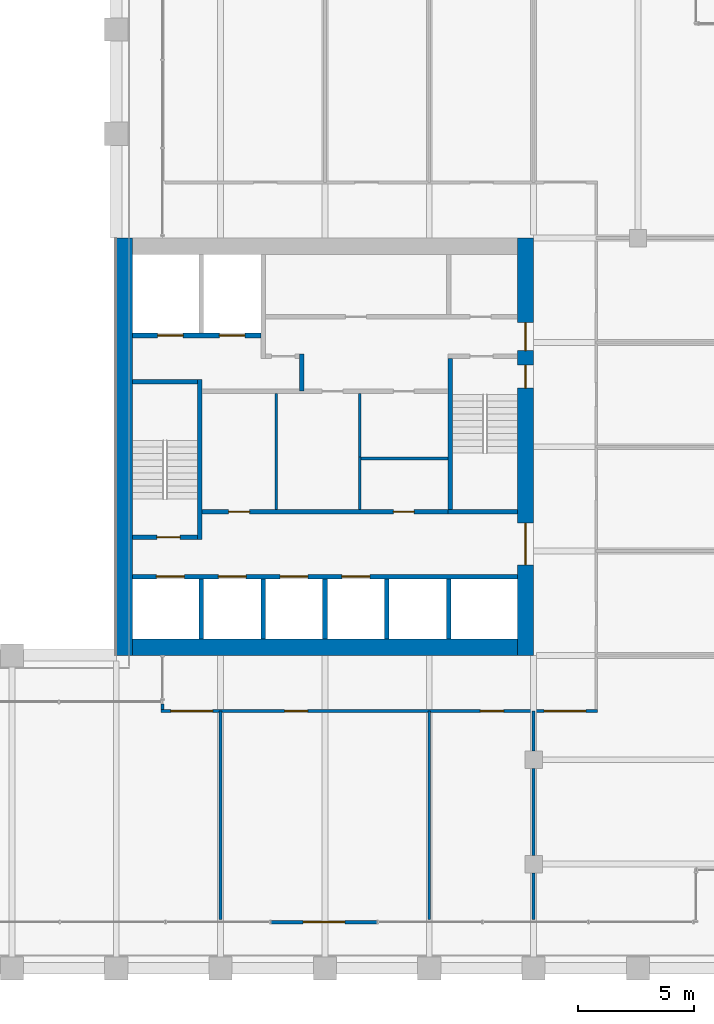
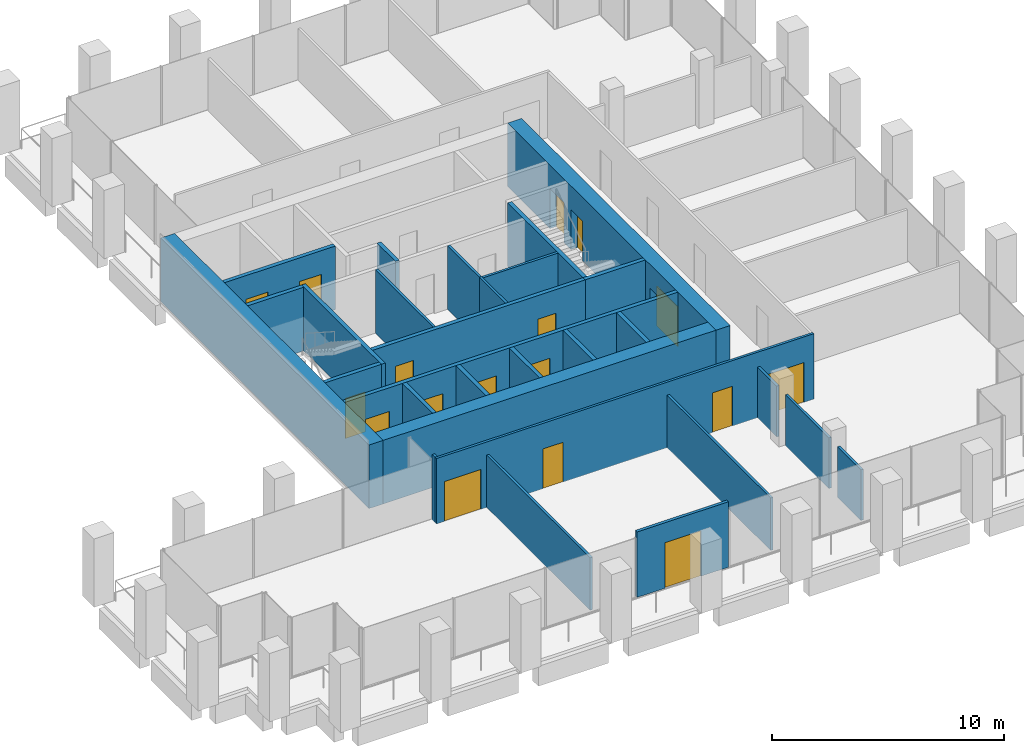
# One storey, part 41 of 47: 29 walls, 17 doors, 17 openings.
"""IFC4 building model written with IfcOpenShell, lengths in metres."""

import ifcopenshell
import ifcopenshell.guid

model = None  # the IFC model being written
_history = None  # IfcOwnerHistory: only IFC2X3 demands one
_inside = {}  # id of a spatial element -> (the spatial element, [elements in it])
_under = {}  # id of a project, library or spatial element -> (it, [spatial elements below it])
_declared = {}  # id of a project -> (the project, [libraries it declares])
_typed = {}  # id of a type object -> (the type object, [elements of that type])
_made_of = {}  # id of a material, layer set ... -> (it, [elements and type objects made of it])


def new_model(schema):
    """Start an empty IFC model of exactly this schema.

    Asked for "IFC4X3", IfcOpenShell would pick the latest addendum, in which some entities
    have other attributes; the version numbers below select the first issue.
    IFC2X3 requires an IfcOwnerHistory on every rooted entity: one is made here for all.
    """
    global model, _history
    if schema == "IFC4X3":
        model = ifcopenshell.file(schema_version=(4, 3, 0, 0))
    else:
        model = ifcopenshell.file(schema=schema)
    _inside.clear()
    _under.clear()
    _declared.clear()
    _typed.clear()
    _made_of.clear()
    _history = None
    if model.schema == "IFC2X3":
        org = make("IfcOrganization", Name="unknown")
        user = make(
            "IfcPersonAndOrganization",
            ThePerson=make("IfcPerson", FamilyName="unknown"),
            TheOrganization=org,
        )
        app = make(
            "IfcApplication",
            ApplicationDeveloper=org,
            Version="unknown",
            ApplicationFullName="unknown",
            ApplicationIdentifier="unknown",
        )
        _history = make(
            "IfcOwnerHistory",
            OwningUser=user,
            OwningApplication=app,
            ChangeAction="ADDED",
            CreationDate=0,
        )
    return model


def make(cls, **values):
    """One entity of the class cls with the attributes given. An attribute that is None is left unset."""
    return model.create_entity(
        cls, **{name: value for name, value in values.items() if value is not None}
    )


def rooted(cls, **values):
    """An entity with a GlobalId (a new one), such as an element, a storey or a relation."""
    return make(cls, GlobalId=ifcopenshell.guid.new(), OwnerHistory=_history, **values)


def si_unit(unit_type, name, prefix=None):
    """IfcSIUnit, for example si_unit("LENGTHUNIT", "METRE", prefix="MILLI")."""
    return make("IfcSIUnit", UnitType=unit_type, Prefix=prefix, Name=name)


def assignment(units):
    """IfcUnitAssignment: the units of a project."""
    return None if units is None else make("IfcUnitAssignment", Units=units)


def point(xyz):
    """IfcCartesianPoint."""
    return None if xyz is None else make("IfcCartesianPoint", Coordinates=xyz)


def direction(xyz):
    """IfcDirection."""
    return None if xyz is None else make("IfcDirection", DirectionRatios=xyz)


def frame(location, z_axis=None, x_axis=None):
    """IfcAxis2Placement3D, a coordinate frame: its origin and axes. An axis left out is left unset."""
    return make(
        "IfcAxis2Placement3D",
        Location=point(location),
        Axis=direction(z_axis),
        RefDirection=direction(x_axis),
    )


def frame_2d(location, x_axis=None):
    """IfcAxis2Placement2D, a coordinate frame in the plane: its origin and x axis."""
    return make(
        "IfcAxis2Placement2D", Location=point(location), RefDirection=direction(x_axis)
    )


def origin():
    """The frame at (0, 0, 0) with its axes left unset."""
    return frame((0.0, 0.0, 0.0))


def place(relative_to, where):
    """IfcLocalPlacement: puts the frame where relative to a parent placement (None: the world)."""
    return make(
        "IfcLocalPlacement", PlacementRelTo=relative_to, RelativePlacement=where
    )


def context(
    kind, dimensions, precision=None, world=None, true_north=None, identifier=None
):
    """IfcGeometricRepresentationContext, for example the 3D "Model" context."""
    return make(
        "IfcGeometricRepresentationContext",
        ContextIdentifier=identifier,
        ContextType=kind,
        CoordinateSpaceDimension=dimensions,
        Precision=precision,
        WorldCoordinateSystem=world,
        TrueNorth=true_north,
    )


def subcontext(parent, identifier, kind, view, scale=None):
    """IfcGeometricRepresentationSubContext, for example "Body" below "Model"."""
    return make(
        "IfcGeometricRepresentationSubContext",
        ContextIdentifier=identifier,
        ContextType=kind,
        ParentContext=parent,
        TargetScale=scale,
        TargetView=view,
    )


def project(units=None, contexts=None):
    """IfcProject with its units and contexts."""
    return rooted(
        "IfcProject",
        Name="project",
        RepresentationContexts=contexts,
        UnitsInContext=assignment(units),
    )


def spatial(cls, under=None, at=None, **own):
    """A site, building, storey or space (cls), placed at a placement, below another one or the project."""
    s = rooted(cls, ObjectPlacement=at, **own)
    if under is not None:
        _under.setdefault(under.id(), (under, []))[1].append(s)
    return s


def profile(cls, at=None, kind="AREA", **sizes):
    """A parametric profile (cls). Its sizes go by their IFC names, for example OverallWidth=200.0."""
    return make(cls, ProfileType=kind, Position=at, **sizes)


def rectangle(**sizes):
    """IfcRectangleProfileDef."""
    return profile("IfcRectangleProfileDef", **sizes)


def extrude(swept, where, along, depth):
    """IfcExtrudedAreaSolid: the profile swept, set in the frame where, extruded along a direction by depth."""
    return make(
        "IfcExtrudedAreaSolid",
        SweptArea=swept,
        Position=where,
        ExtrudedDirection=direction(along),
        Depth=depth,
    )


def shape(context_of_items, identifier, shape_type, items):
    """IfcShapeRepresentation: the items that make up one representation, for example the "Body"."""
    return make(
        "IfcShapeRepresentation",
        ContextOfItems=context_of_items,
        RepresentationIdentifier=identifier,
        RepresentationType=shape_type,
        Items=items,
    )


def material(Name=None, Category=None):
    """IfcMaterial."""
    return make("IfcMaterial", Name=Name, Category=Category)


def layer(
    of_material, thickness, ventilated=None, Name=None, Category=None, Priority=None
):
    """IfcMaterialLayer: one layer of a wall or slab, of a material (None: an air gap)."""
    return make(
        "IfcMaterialLayer",
        Material=of_material,
        LayerThickness=thickness,
        IsVentilated=ventilated,
        Name=Name,
        Category=Category,
        Priority=Priority,
    )


def layer_set(layers, Name=None):
    """IfcMaterialLayerSet."""
    return make("IfcMaterialLayerSet", MaterialLayers=layers, LayerSetName=Name)


def made_of(thing, what):
    """Note that an element or type object is made of a material, layer set ...; save() writes the relation."""
    if what is not None:
        _made_of.setdefault(what.id(), (what, []))[1].append(thing)
    return thing


def type_object(cls, material=None, **own):
    """A type object (cls), such as IfcWallType, which elements share."""
    return made_of(rooted(cls, **own), material)


def element(
    cls,
    number,
    at=None,
    inside=None,
    cuts=None,
    type_object=None,
    material=None,
    context=None,
    identifier="Body",
    shape_type=None,
    held_by="IfcProductDefinitionShape",
    body=None,
    shapes=None,
    **own,
):
    """One element of the class cls, such as IfcWall. Its Tag is "e" and its number.

    at: its placement. inside: the storey or other place that contains it. cuts: it is an
    opening in that element (IfcRelVoidsElement). A single representation is given by context,
    identifier, shape_type and body (its items); several are given by shapes. held_by: the class
    of the entity that holds the representations. save() writes the other relations.
    """
    e = rooted(cls, Tag="e%d" % number, ObjectPlacement=at, **own)
    if body is not None:
        shapes = [shape(context, identifier, shape_type, body)]
    if shapes is not None:
        e.Representation = make(held_by, Representations=shapes)
    if inside is not None:
        _inside.setdefault(inside.id(), (inside, []))[1].append(e)
    if cuts is not None:
        rooted(
            "IfcRelVoidsElement", RelatingBuildingElement=cuts, RelatedOpeningElement=e
        )
    if type_object is not None:
        _typed.setdefault(type_object.id(), (type_object, []))[1].append(e)
    return made_of(e, material)


def fill(opening, filler):
    """IfcRelFillsElement: the door or window that sits in an opening."""
    return rooted(
        "IfcRelFillsElement",
        RelatingOpeningElement=opening,
        RelatedBuildingElement=filler,
    )


def aggregate(whole, parts):
    """IfcRelAggregates: a whole, such as a stair, and the parts it consists of."""
    return rooted("IfcRelAggregates", RelatingObject=whole, RelatedObjects=parts)


def save(model, path):
    """Write the relations noted so far, then the file.

    IfcRelAggregates (storeys below a building ...), IfcRelContainedInSpatialStructure (elements
    in a storey), IfcRelDefinesByType, IfcRelAssociatesMaterial and IfcRelDeclares: one each for
    every whole, place, type object, material and project.
    """
    for whole, parts in _under.values():
        aggregate(whole, parts)
    for where, things in _inside.values():
        rooted(
            "IfcRelContainedInSpatialStructure",
            RelatedElements=things,
            RelatingStructure=where,
        )
    for kind, things in _typed.values():
        rooted("IfcRelDefinesByType", RelatedObjects=things, RelatingType=kind)
    for what, things in _made_of.values():
        rooted("IfcRelAssociatesMaterial", RelatedObjects=things, RelatingMaterial=what)
    for by, libraries in _declared.values():
        rooted("IfcRelDeclares", RelatingContext=by, RelatedDefinitions=libraries)
    model.write(path)


model = new_model("IFC4")

# Units and contexts
model_context = context("Model", 3, precision=1e-05, world=origin(), true_north=direction((0.0, 1.0)))
body_context = subcontext(model_context, "Body", "Model", "MODEL_VIEW")
ifc_project = project(units=[si_unit("LENGTHUNIT", "METRE"), si_unit("AREAUNIT", "SQUARE_METRE"), si_unit("VOLUMEUNIT", "CUBIC_METRE"), si_unit("PLANEANGLEUNIT", "RADIAN"), si_unit("MASSUNIT", "GRAM", prefix="KILO")], contexts=[model_context])

# Site, building, storey
site_placement = place(None, origin())
site = spatial("IfcSite", under=ifc_project, at=site_placement, CompositionType="ELEMENT")
building_placement = place(site_placement, origin())
building = spatial("IfcBuilding", under=site, at=building_placement, Name="Altepetl Exchange Towers", CompositionType="ELEMENT")
storey_placement = place(building_placement, frame((0.0, 0.0, 95.60009765625)))
storey = spatial("IfcBuildingStorey", under=building, at=storey_placement, Name="L23", CompositionType="ELEMENT", Elevation=95.60009765625)

# Wall, openings, doors
ifc_material_1 = material(Name="Concrete C70/85", Category="concrete")
ifc_layer_1 = layer(ifc_material_1, 0.699951171875)
ifc_layer_set_1 = layer_set([ifc_layer_1], Name="Concrete C70/85")
wall_type_1 = type_object("IfcWallType", Name="Core wall 700 reinforced concrete", PredefinedType="SHEAR", material=ifc_layer_set_1)
wall_1_placement = place(storey_placement, frame((58.14990234375, 40.5, 0.0), z_axis=(0.0, 0.0, 1.0), x_axis=(0.0, 1.0, 0.0)))
wall_1 = element("IfcWall", 1, at=wall_1_placement, inside=storey, type_object=wall_type_1, Name="wall:A:L23:K-coreE", PredefinedType="SHEAR", context=body_context, shape_type="SweptSolid", body=[
    extrude(rectangle(XDim=18.0, YDim=0.699951171875, at=frame_2d((9.0, 0.0))), origin(), (0.0, 0.0, 1.0), 3.349853515625),
])
opening_1_placement = place(wall_1_placement, frame((13.14990234375, 0.0, 0.0)))
opening_1 = element("IfcOpeningElement", 2, at=opening_1_placement, cuts=wall_1, Name="Opening L23.A60", PredefinedType="OPENING", context=body_context, shape_type="SweptSolid", body=[
    extrude(rectangle(XDim=1.199951171875, YDim=2.10009765625, at=frame_2d((0.60009765625, 1.050048828125))), frame((0.0, 0.35986328125, 0.0), z_axis=(0.0, -1.0, 0.0), x_axis=(1.0, 0.0, 0.0)), (0.0, 0.0, 1.0), 0.719970703125),
])
opening_2_placement = place(wall_1_placement, frame((3.89990234375, 0.0, 0.0)))
opening_2 = element("IfcOpeningElement", 3, at=opening_2_placement, cuts=wall_1, Name="Opening L23.A61", PredefinedType="OPENING", context=body_context, shape_type="SweptSolid", body=[
    extrude(rectangle(XDim=1.800048828125, YDim=2.10009765625, at=frame_2d((0.89990234375, 1.050048828125))), frame((0.0, 0.35986328125, 0.0), z_axis=(0.0, -1.0, 0.0), x_axis=(1.0, 0.0, 0.0)), (0.0, 0.0, 1.0), 0.719970703125),
])
opening_3_placement = place(wall_1_placement, frame((11.52490234375, 0.0, 0.0)))
opening_3 = element("IfcOpeningElement", 4, at=opening_3_placement, cuts=wall_1, Name="Opening L23.A64", PredefinedType="OPENING", context=body_context, shape_type="SweptSolid", body=[
    extrude(rectangle(XDim=1.0, YDim=2.10009765625, at=frame_2d((0.5, 1.050048828125))), frame((0.0, 0.35986328125, 0.0), z_axis=(0.0, -1.0, 0.0), x_axis=(1.0, 0.0, 0.0)), (0.0, 0.0, 1.0), 0.719970703125),
])
ifc_material_2 = material(Name="Steel and timber fire door", Category="steel")
door_type_1 = type_object("IfcDoorType", Name="Fire door 1000 x 2100 stair and lobby", OperationType="SINGLE_SWING_LEFT", PredefinedType="DOOR", material=ifc_material_2)
door_1_placement = place(opening_3_placement, origin())
door_1 = element("IfcDoor", 5, at=door_1_placement, inside=storey, type_object=door_type_1, Name="door:A:L23:K-dS2x", OperationType="SINGLE_SWING_RIGHT", OverallHeight=2.10009765625, OverallWidth=1.0, PredefinedType="DOOR", context=body_context, shape_type="SweptSolid", body=[
    extrude(rectangle(XDim=1.0, YDim=2.10009765625, at=frame_2d((0.5, 1.050048828125))), frame((0.0, 0.02490234375, 0.0), z_axis=(0.0, -1.0, 0.0), x_axis=(1.0, 0.0, 0.0)), (0.0, 0.0, 1.0), 0.050048828125),
])
fill(opening_3, door_1)
door_type_2 = type_object("IfcDoorType", Name="Fire door 1200 x 2100 lobby entry", OperationType="SINGLE_SWING_LEFT", PredefinedType="DOOR", material=ifc_material_2)
door_2_placement = place(opening_1_placement, origin())
door_2 = element("IfcDoor", 6, at=door_2_placement, inside=storey, type_object=door_type_2, Name="door:A:L23:K-dLNE", OperationType="SINGLE_SWING_RIGHT", OverallHeight=2.10009765625, OverallWidth=1.199951171875, PredefinedType="DOOR", context=body_context, shape_type="SweptSolid", body=[
    extrude(rectangle(XDim=1.199951171875, YDim=2.10009765625, at=frame_2d((0.60009765625, 1.050048828125))), frame((0.0, 0.02490234375, 0.0), z_axis=(0.0, -1.0, 0.0), x_axis=(1.0, 0.0, 0.0)), (0.0, 0.0, 1.0), 0.050048828125),
])
fill(opening_1, door_2)
door_type_3 = type_object("IfcDoorType", Name="Fire door 1800 x 2100 lobby entry", OperationType="DOUBLE_DOOR_SINGLE_SWING", PredefinedType="DOOR", material=ifc_material_2)
door_3_placement = place(opening_2_placement, origin())
door_3 = element("IfcDoor", 7, at=door_3_placement, inside=storey, type_object=door_type_3, Name="door:A:L23:K-dLSE", OperationType="DOUBLE_DOOR_SINGLE_SWING", OverallHeight=2.10009765625, OverallWidth=1.800048828125, PredefinedType="DOOR", context=body_context, shape_type="SweptSolid", body=[
    extrude(rectangle(XDim=1.800048828125, YDim=2.10009765625, at=frame_2d((0.89990234375, 1.050048828125))), frame((0.0, 0.02490234375, 0.0), z_axis=(0.0, -1.0, 0.0), x_axis=(1.0, 0.0, 0.0)), (0.0, 0.0, 1.0), 0.050048828125),
])
fill(opening_2, door_3)

# Walls
wall_2_placement = place(storey_placement, frame((41.199951171875, 40.85009765625, 0.0)))
element("IfcWall", 8, at=wall_2_placement, inside=storey, type_object=wall_type_1, Name="wall:A:L23:K-coreS", PredefinedType="SHEAR", context=body_context, shape_type="SweptSolid", body=[
    extrude(rectangle(XDim=16.60009765625, YDim=0.699951171875, at=frame_2d((8.300048828125, 0.0))), origin(), (0.0, 0.0, 1.0), 3.349853515625),
])
ifc_layer_2 = layer(ifc_material_1, 0.699951171875)
ifc_layer_set_2 = layer_set([ifc_layer_2], Name="Concrete C70/85")
wall_type_2 = type_object("IfcWallType", Name="Core wall 700 reinforced concrete external", PredefinedType="SHEAR", material=ifc_layer_set_2)
wall_3_placement = place(storey_placement, frame((40.85009765625, 40.5, 0.0), z_axis=(0.0, 0.0, 1.0), x_axis=(0.0, 1.0, 0.0)))
element("IfcWall", 9, at=wall_3_placement, inside=storey, type_object=wall_type_2, Name="wall:A:L23:K-coreW", PredefinedType="SHEAR", context=body_context, shape_type="SweptSolid", body=[
    extrude(rectangle(XDim=18.0, YDim=0.699951171875, at=frame_2d((9.0, 0.0))), origin(), (0.0, 0.0, 1.0), 3.349853515625),
])

# Wall, opening, door
ifc_material_3 = material(Name="Aluminium composite cladding", Category="aluminium")
ifc_layer_3 = layer(ifc_material_3, 0.14990234375)
ifc_layer_set_3 = layer_set([ifc_layer_3], Name="Aluminium composite cladding")
wall_type_3 = type_object("IfcWallType", Name="Infill wall 150 aluminium panel", PredefinedType="SOLIDWALL", material=ifc_layer_set_3)
wall_4_placement = place(storey_placement, frame((47.18212890625, 29.0, 0.0)))
wall_4 = element("IfcWall", 10, at=wall_4_placement, inside=storey, type_object=wall_type_3, Name="Loggia door bay wall", PredefinedType="SOLIDWALL", context=body_context, shape_type="SweptSolid", body=[
    extrude(rectangle(XDim=4.560791015625, YDim=0.14990234375, at=frame_2d((2.2802734375, 0.0))), origin(), (0.0, 0.0, 1.0), 3.449951171875),
])
opening_4_placement = place(wall_4_placement, frame((1.38037109375, 0.0, 0.0)))
opening_4 = element("IfcOpeningElement", 11, at=opening_4_placement, cuts=wall_4, Name="Opening L23.A90", PredefinedType="OPENING", context=body_context, shape_type="SweptSolid", body=[
    extrude(rectangle(XDim=1.800048828125, YDim=2.39990234375, at=frame_2d((0.89990234375, 1.199951171875))), frame((0.0, 0.0849609375, 0.0), z_axis=(0.0, -1.0, 0.0), x_axis=(1.0, 0.0, 0.0)), (0.0, 0.0, 1.0), 0.169921875),
])
ifc_material_4 = material(Name="Aluminium 6063-T6 and glass", Category="aluminium")
door_type_4 = type_object("IfcDoorType", Name="Glazed door pair 1800x2400", OperationType="DOUBLE_DOOR_DOUBLE_SWING", PredefinedType="NOTDEFINED", material=ifc_material_4)
door_4_placement = place(opening_4_placement, frame((1.800048828125, 0.0, 0.0), x_axis=(-1.0, 0.0, 0.0)))
door_4 = element("IfcDoor", 12, at=door_4_placement, inside=storey, type_object=door_type_4, Name="Loggia door", OperationType="DOUBLE_DOOR_DOUBLE_SWING", OverallHeight=2.39990234375, OverallWidth=1.800048828125, PredefinedType="NOTDEFINED", context=body_context, shape_type="SweptSolid", body=[
    extrude(rectangle(XDim=1.800048828125, YDim=2.39990234375, at=frame_2d((0.89990234375, 1.199951171875))), frame((0.0, 0.02490234375, 0.0), z_axis=(0.0, -1.0, 0.0), x_axis=(1.0, 0.0, 0.0)), (0.0, 0.0, 1.0), 0.050048828125),
])
fill(opening_4, door_4)

# Wall
ifc_material_5 = material(Name="Concrete blockwork", Category="masonry")
ifc_layer_4 = layer(ifc_material_5, 0.199951171875)
ifc_layer_set_4 = layer_set([ifc_layer_4], Name="Concrete blockwork")
wall_type_4 = type_object("IfcWallType", Name="Lobby wall 200 blockwork", PredefinedType="PARTITIONING", material=ifc_layer_set_4)
wall_5_placement = place(storey_placement, frame((48.5, 51.89990234375, 0.0), z_axis=(0.0, 0.0, 1.0), x_axis=(0.0, 1.0, 0.0)))
element("IfcWall", 13, at=wall_5_placement, inside=storey, type_object=wall_type_4, Name="wall:A:L23:K-ffE", PredefinedType="PARTITIONING", context=body_context, shape_type="SweptSolid", body=[
    extrude(rectangle(XDim=1.60009765625, YDim=0.199951171875, at=frame_2d((0.800048828125, 0.0))), origin(), (0.0, 0.0, 1.0), 3.349853515625),
])

# Wall, openings, doors
wall_6_placement = place(storey_placement, frame((44.199951171875, 46.699951171875, 0.0)))
wall_6 = element("IfcWall", 14, at=wall_6_placement, inside=storey, type_object=wall_type_4, Name="wall:A:L23:K-zoneS", PredefinedType="PARTITIONING", context=body_context, shape_type="SweptSolid", body=[
    extrude(rectangle(XDim=10.60009765625, YDim=0.199951171875, at=frame_2d((5.300048828125, 0.0))), origin(), (0.0, 0.0, 1.0), 3.349853515625),
])
opening_5_placement = place(wall_6_placement, frame((1.14990234375, 0.0, 0.0)))
opening_5 = element("IfcOpeningElement", 15, at=opening_5_placement, cuts=wall_6, Name="Opening L23.A68", PredefinedType="OPENING", context=body_context, shape_type="SweptSolid", body=[
    extrude(rectangle(XDim=0.89990234375, YDim=2.10009765625, at=frame_2d((0.449951171875, 1.050048828125))), frame((0.0, 0.10986328125, 0.0), z_axis=(0.0, -1.0, 0.0), x_axis=(1.0, 0.0, 0.0)), (0.0, 0.0, 1.0), 0.219970703125),
])
opening_6_placement = place(wall_6_placement, frame((8.25, 0.0, 0.0)))
opening_6 = element("IfcOpeningElement", 16, at=opening_6_placement, cuts=wall_6, Name="Opening L23.A70", PredefinedType="OPENING", context=body_context, shape_type="SweptSolid", body=[
    extrude(rectangle(XDim=0.89990234375, YDim=2.10009765625, at=frame_2d((0.449951171875, 1.050048828125))), frame((0.0, 0.10986328125, 0.0), z_axis=(0.0, -1.0, 0.0), x_axis=(1.0, 0.0, 0.0)), (0.0, 0.0, 1.0), 0.219970703125),
])
door_type_5 = type_object("IfcDoorType", Name="Fire door 900 x 2100 service room", OperationType="SINGLE_SWING_LEFT", PredefinedType="DOOR", material=ifc_material_2)
door_5_placement = place(opening_5_placement, origin())
door_5 = element("IfcDoor", 17, at=door_5_placement, inside=storey, type_object=door_type_5, Name="door:A:L23:K-dz1", OperationType="SINGLE_SWING_RIGHT", OverallHeight=2.10009765625, OverallWidth=0.89990234375, PredefinedType="DOOR", context=body_context, shape_type="SweptSolid", body=[
    extrude(rectangle(XDim=0.89990234375, YDim=2.10009765625, at=frame_2d((0.449951171875, 1.050048828125))), frame((0.0, 0.02490234375, 0.0), z_axis=(0.0, -1.0, 0.0), x_axis=(1.0, 0.0, 0.0)), (0.0, 0.0, 1.0), 0.050048828125),
])
fill(opening_5, door_5)
door_6_placement = place(opening_6_placement, origin())
door_6 = element("IfcDoor", 18, at=door_6_placement, inside=storey, type_object=door_type_5, Name="door:A:L23:K-dz3", OperationType="SINGLE_SWING_RIGHT", OverallHeight=2.10009765625, OverallWidth=0.89990234375, PredefinedType="DOOR", context=body_context, shape_type="SweptSolid", body=[
    extrude(rectangle(XDim=0.89990234375, YDim=2.10009765625, at=frame_2d((0.449951171875, 1.050048828125))), frame((0.0, 0.02490234375, 0.0), z_axis=(0.0, -1.0, 0.0), x_axis=(1.0, 0.0, 0.0)), (0.0, 0.0, 1.0), 0.050048828125),
])
fill(opening_6, door_6)

# Walls
ifc_material_6 = material(Name="Gypsum board on steel studs", Category="steel")
ifc_layer_5 = layer(ifc_material_6, 0.125)
ifc_layer_set_5 = layer_set([ifc_layer_5], Name="Gypsum board on steel studs")
wall_type_5 = type_object("IfcWallType", Name="Partition 125 gypsum board on steel studs", PredefinedType="PARTITIONING", material=ifc_layer_set_5)
wall_7_placement = place(storey_placement, frame((47.39990234375, 46.800048828125, 0.0), z_axis=(0.0, 0.0, 1.0), x_axis=(0.0, 1.0, 0.0)))
element("IfcWall", 19, at=wall_7_placement, inside=storey, type_object=wall_type_5, Name="wall:A:L23:K-zp1", PredefinedType="PARTITIONING", context=body_context, shape_type="SweptSolid", body=[
    extrude(rectangle(XDim=5.0, YDim=0.125, at=frame_2d((2.5, 0.0))), origin(), (0.0, 0.0, 1.0), 3.349853515625),
])
wall_8_placement = place(storey_placement, frame((51.0, 46.800048828125, 0.0), z_axis=(0.0, 0.0, 1.0), x_axis=(0.0, 1.0, 0.0)))
element("IfcWall", 20, at=wall_8_placement, inside=storey, type_object=wall_type_5, Name="wall:A:L23:K-zp2", PredefinedType="PARTITIONING", context=body_context, shape_type="SweptSolid", body=[
    extrude(rectangle(XDim=2.262451171875, YDim=0.125, at=frame_2d((1.13134765625, 0.0))), origin(), (0.0, 0.0, 1.0), 3.349853515625),
])
wall_9_placement = place(storey_placement, frame((54.800048828125, 49.0, 0.0), z_axis=(0.0, 0.0, 1.0), x_axis=(-1.0, 0.0, 0.0)))
element("IfcWall", 21, at=wall_9_placement, inside=storey, type_object=wall_type_5, Name="wall:A:L23:K-zp3", PredefinedType="PARTITIONING", context=body_context, shape_type="SweptSolid", body=[
    extrude(rectangle(XDim=3.737548828125, YDim=0.125, at=frame_2d((1.86865234375, 0.0))), origin(), (0.0, 0.0, 1.0), 3.349853515625),
])
wall_10_placement = place(storey_placement, frame((51.0, 49.0, 0.0), z_axis=(0.0, 0.0, 1.0), x_axis=(0.0, 1.0, 0.0)))
element("IfcWall", 22, at=wall_10_placement, inside=storey, type_object=wall_type_5, Name="wall:A:L23:K-zp4", PredefinedType="PARTITIONING", context=body_context, shape_type="SweptSolid", body=[
    extrude(rectangle(XDim=2.800048828125, YDim=0.125, at=frame_2d((1.39990234375, 0.0))), origin(), (0.0, 0.0, 1.0), 3.349853515625),
])

# Wall, openings, doors
wall_11_placement = place(storey_placement, frame((42.4375, 38.10009765625, 0.0)))
wall_11 = element("IfcWall", 23, at=wall_11_placement, inside=storey, type_object=wall_type_5, Name="wall:A:L23:P01", PredefinedType="PARTITIONING", context=body_context, shape_type="SweptSolid", body=[
    extrude(rectangle(XDim=18.824951171875, YDim=0.125, at=frame_2d((9.41259765625, 0.0))), origin(), (0.0, 0.0, 1.0), 3.449951171875),
])
opening_7_placement = place(wall_11_placement, frame((0.41259765625, 0.0, 0.0)))
opening_7 = element("IfcOpeningElement", 24, at=opening_7_placement, cuts=wall_11, Name="Opening L23.A01", PredefinedType="OPENING", context=body_context, shape_type="SweptSolid", body=[
    extrude(rectangle(XDim=1.800048828125, YDim=2.10009765625, at=frame_2d((0.89990234375, 1.050048828125))), frame((0.0, 0.072509765625, 0.0), z_axis=(0.0, -1.0, 0.0), x_axis=(1.0, 0.0, 0.0)), (0.0, 0.0, 1.0), 0.14501953125),
])
opening_8_placement = place(wall_11_placement, frame((5.320556640625, 0.0, 0.0)))
opening_8 = element("IfcOpeningElement", 25, at=opening_8_placement, cuts=wall_11, Name="Opening L23.A02", PredefinedType="OPENING", context=body_context, shape_type="SweptSolid", body=[
    extrude(rectangle(XDim=1.0, YDim=2.10009765625, at=frame_2d((0.5, 1.050048828125))), frame((0.0, 0.072509765625, 0.0), z_axis=(0.0, -1.0, 0.0), x_axis=(1.0, 0.0, 0.0)), (0.0, 0.0, 1.0), 0.14501953125),
])
opening_9_placement = place(wall_11_placement, frame((13.767578125, 0.0, 0.0)))
opening_9 = element("IfcOpeningElement", 26, at=opening_9_placement, cuts=wall_11, Name="Opening L23.A03", PredefinedType="OPENING", context=body_context, shape_type="SweptSolid", body=[
    extrude(rectangle(XDim=1.0, YDim=2.10009765625, at=frame_2d((0.5, 1.050048828125))), frame((0.0, 0.072509765625, 0.0), z_axis=(0.0, -1.0, 0.0), x_axis=(1.0, 0.0, 0.0)), (0.0, 0.0, 1.0), 0.14501953125),
])
opening_10_placement = place(wall_11_placement, frame((16.512451171875, 0.0, 0.0)))
opening_10 = element("IfcOpeningElement", 27, at=opening_10_placement, cuts=wall_11, Name="Opening L23.A04", PredefinedType="OPENING", context=body_context, shape_type="SweptSolid", body=[
    extrude(rectangle(XDim=1.800048828125, YDim=2.10009765625, at=frame_2d((0.89990234375, 1.050048828125))), frame((0.0, 0.072509765625, 0.0), z_axis=(0.0, -1.0, 0.0), x_axis=(1.0, 0.0, 0.0)), (0.0, 0.0, 1.0), 0.14501953125),
])
door_type_6 = type_object("IfcDoorType", Name="Fire door 1000 x 2100 single leaf", OperationType="SINGLE_SWING_LEFT", PredefinedType="DOOR", material=ifc_material_2)
door_7_placement = place(opening_8_placement, frame((1.0, 0.0, 0.0), x_axis=(-1.0, 0.0, 0.0)))
door_7 = element("IfcDoor", 28, at=door_7_placement, inside=storey, type_object=door_type_6, Name="door:A:L23:02", OperationType="SINGLE_SWING_RIGHT", OverallHeight=2.10009765625, OverallWidth=1.0, PredefinedType="DOOR", context=body_context, shape_type="SweptSolid", body=[
    extrude(rectangle(XDim=1.0, YDim=2.10009765625, at=frame_2d((0.5, 1.050048828125))), frame((0.0, 0.02490234375, 0.0), z_axis=(0.0, -1.0, 0.0), x_axis=(1.0, 0.0, 0.0)), (0.0, 0.0, 1.0), 0.050048828125),
])
fill(opening_8, door_7)
door_8_placement = place(opening_9_placement, frame((1.0, 0.0, 0.0), x_axis=(-1.0, 0.0, 0.0)))
door_8 = element("IfcDoor", 29, at=door_8_placement, inside=storey, type_object=door_type_6, Name="door:A:L23:03", OperationType="SINGLE_SWING_LEFT", OverallHeight=2.10009765625, OverallWidth=1.0, PredefinedType="DOOR", context=body_context, shape_type="SweptSolid", body=[
    extrude(rectangle(XDim=1.0, YDim=2.10009765625, at=frame_2d((0.5, 1.050048828125))), frame((0.0, 0.02490234375, 0.0), z_axis=(0.0, -1.0, 0.0), x_axis=(1.0, 0.0, 0.0)), (0.0, 0.0, 1.0), 0.050048828125),
])
fill(opening_9, door_8)
door_type_7 = type_object("IfcDoorType", Name="Fire door 1800 x 2100 double leaf", OperationType="DOUBLE_DOOR_SINGLE_SWING", PredefinedType="DOOR", material=ifc_material_2)
door_9_placement = place(opening_7_placement, frame((1.800048828125, 0.0, 0.0), x_axis=(-1.0, 0.0, 0.0)))
door_9 = element("IfcDoor", 30, at=door_9_placement, inside=storey, type_object=door_type_7, Name="door:A:L23:01", OperationType="DOUBLE_DOOR_SINGLE_SWING", OverallHeight=2.10009765625, OverallWidth=1.800048828125, PredefinedType="DOOR", context=body_context, shape_type="SweptSolid", body=[
    extrude(rectangle(XDim=1.800048828125, YDim=2.10009765625, at=frame_2d((0.89990234375, 1.050048828125))), frame((0.0, 0.02490234375, 0.0), z_axis=(0.0, -1.0, 0.0), x_axis=(1.0, 0.0, 0.0)), (0.0, 0.0, 1.0), 0.050048828125),
])
fill(opening_7, door_9)
door_10_placement = place(opening_10_placement, frame((1.800048828125, 0.0, 0.0), x_axis=(-1.0, 0.0, 0.0)))
door_10 = element("IfcDoor", 31, at=door_10_placement, inside=storey, type_object=door_type_7, Name="door:A:L23:04", OperationType="DOUBLE_DOOR_SINGLE_SWING", OverallHeight=2.10009765625, OverallWidth=1.800048828125, PredefinedType="DOOR", context=body_context, shape_type="SweptSolid", body=[
    extrude(rectangle(XDim=1.800048828125, YDim=2.10009765625, at=frame_2d((0.89990234375, 1.050048828125))), frame((0.0, 0.02490234375, 0.0), z_axis=(0.0, -1.0, 0.0), x_axis=(1.0, 0.0, 0.0)), (0.0, 0.0, 1.0), 0.050048828125),
])
fill(opening_10, door_10)

# Walls
wall_12_placement = place(storey_placement, frame((42.5, 38.16259765625, 0.0), z_axis=(0.0, 0.0, 1.0), x_axis=(0.0, 1.0, 0.0)))
element("IfcWall", 32, at=wall_12_placement, inside=storey, type_object=wall_type_5, Name="wall:A:L23:P10", PredefinedType="PARTITIONING", context=body_context, shape_type="SweptSolid", body=[
    extrude(rectangle(XDim=0.2373046875, YDim=0.125, at=frame_2d((0.11865234375, 0.0))), origin(), (0.0, 0.0, 1.0), 3.449951171875),
])
for number, where, z_axis, x_axis, name in (
    (33, (45.0, 29.10009765625, 0.0), (0.0, 0.0, 1.0), (0.0, 1.0, 0.0), "wall:A:L23:P11"),
    (34, (54.0, 29.10009765625, 0.0), (0.0, 0.0, 1.0), (0.0, 1.0, 0.0), "wall:A:L23:P13"),
):
    element("IfcWall", number, at=place(storey_placement, frame(where, z_axis=z_axis, x_axis=x_axis)), inside=storey, type_object=wall_type_5, Name=name, PredefinedType="PARTITIONING", context=body_context, shape_type="SweptSolid", body=[
        extrude(rectangle(XDim=9.0, YDim=0.125, at=frame_2d((4.5, 0.0))), origin(), (0.0, 0.0, 1.0), 2.765869140625),
    ])
wall_13_placement = place(storey_placement, frame((58.5, 29.10009765625, 0.0), z_axis=(0.0, 0.0, 1.0), x_axis=(0.0, 1.0, 0.0)))
element("IfcWall", 35, at=wall_13_placement, inside=storey, type_object=wall_type_5, Name="wall:A:L23:P15", PredefinedType="PARTITIONING", context=body_context, shape_type="SweptSolid", body=[
    extrude(rectangle(XDim=2.02490234375, YDim=0.125, at=frame_2d((1.012451171875, 0.0))), origin(), (0.0, 0.0, 1.0), 2.67578125),
])
wall_14_placement = place(storey_placement, frame((58.5, 31.875, 0.0), z_axis=(0.0, 0.0, 1.0), x_axis=(0.0, 1.0, 0.0)))
element("IfcWall", 36, at=wall_14_placement, inside=storey, type_object=wall_type_5, Name="wall:A:L23:P16", PredefinedType="PARTITIONING", context=body_context, shape_type="SweptSolid", body=[
    extrude(rectangle(XDim=3.75, YDim=0.125, at=frame_2d((1.875, 0.0))), origin(), (0.0, 0.0, 1.0), 2.67578125),
])
wall_15_placement = place(storey_placement, frame((58.5, 36.375, 0.0), z_axis=(0.0, 0.0, 1.0), x_axis=(0.0, 1.0, 0.0)))
element("IfcWall", 37, at=wall_15_placement, inside=storey, type_object=wall_type_5, Name="wall:A:L23:P17", PredefinedType="PARTITIONING", context=body_context, shape_type="SweptSolid", body=[
    extrude(rectangle(XDim=1.72509765625, YDim=0.125, at=frame_2d((0.862548828125, 0.0))), origin(), (0.0, 0.0, 1.0), 2.67578125),
])
ifc_material_7 = material(Name="Concrete C40/50", Category="concrete")
ifc_layer_6 = layer(ifc_material_7, 0.199951171875)
ifc_layer_set_6 = layer_set([ifc_layer_6], Name="Concrete C40/50")
wall_type_6 = type_object("IfcWallType", Name="Shaft wall 200 reinforced concrete", PredefinedType="SHEAR", material=ifc_layer_set_6)
for number, where, z_axis, x_axis, name in (
    (38, (44.166748046875, 41.199951171875, 0.0), (0.0, 0.0, 1.0), (0.0, 1.0, 0.0), "wall:A:L23:K-divS1"),
    (39, (46.833251953125, 41.199951171875, 0.0), (0.0, 0.0, 1.0), (0.0, 1.0, 0.0), "wall:A:L23:K-divS2"),
    (40, (49.5, 41.199951171875, 0.0), (0.0, 0.0, 1.0), (0.0, 1.0, 0.0), "wall:A:L23:K-divS3"),
    (41, (52.166748046875, 41.199951171875, 0.0), (0.0, 0.0, 1.0), (0.0, 1.0, 0.0), "wall:A:L23:K-divS4"),
    (42, (54.833251953125, 41.199951171875, 0.0), (0.0, 0.0, 1.0), (0.0, 1.0, 0.0), "wall:A:L23:K-divS5"),
):
    element("IfcWall", number, at=place(storey_placement, frame(where, z_axis=z_axis, x_axis=x_axis)), inside=storey, type_object=wall_type_6, Name=name, PredefinedType="SHEAR", context=body_context, shape_type="SweptSolid", body=[
        extrude(rectangle(XDim=2.60009765625, YDim=0.199951171875, at=frame_2d((1.300048828125, 0.0))), origin(), (0.0, 0.0, 1.0), 3.349853515625),
    ])

# Wall, openings, doors
wall_16_placement = place(storey_placement, frame((41.199951171875, 54.300048828125, 0.0)))
wall_16 = element("IfcWall", 43, at=wall_16_placement, inside=storey, type_object=wall_type_6, Name="wall:A:L23:K-frontNd", PredefinedType="SHEAR", context=body_context, shape_type="SweptSolid", body=[
    extrude(rectangle(XDim=5.533447265625, YDim=0.199951171875, at=frame_2d((2.7666015625, 0.0))), origin(), (0.0, 0.0, 1.0), 3.349853515625),
])
opening_11_placement = place(wall_16_placement, frame((1.083251953125, 0.0, 0.0)))
opening_11 = element("IfcOpeningElement", 44, at=opening_11_placement, cuts=wall_16, Name="Opening L23.A72", PredefinedType="OPENING", context=body_context, shape_type="SweptSolid", body=[
    extrude(rectangle(XDim=1.10009765625, YDim=2.10009765625, at=frame_2d((0.550048828125, 1.050048828125))), frame((0.0, 0.10986328125, 0.0), z_axis=(0.0, -1.0, 0.0), x_axis=(1.0, 0.0, 0.0)), (0.0, 0.0, 1.0), 0.219970703125),
])
opening_12_placement = place(wall_16_placement, frame((3.75, 0.0, 0.0)))
opening_12 = element("IfcOpeningElement", 45, at=opening_12_placement, cuts=wall_16, Name="Opening L23.A73", PredefinedType="OPENING", context=body_context, shape_type="SweptSolid", body=[
    extrude(rectangle(XDim=1.10009765625, YDim=2.10009765625, at=frame_2d((0.550048828125, 1.050048828125))), frame((0.0, 0.10986328125, 0.0), z_axis=(0.0, -1.0, 0.0), x_axis=(1.0, 0.0, 0.0)), (0.0, 0.0, 1.0), 0.219970703125),
])
ifc_material_8 = material(Name="Stainless steel", Category="steel")
door_type_8 = type_object("IfcDoorType", Name="Lift landing door 1100 x 2100", OperationType="SLIDING_TO_LEFT", PredefinedType="DOOR", material=ifc_material_8)
door_11_placement = place(opening_11_placement, origin())
door_11 = element("IfcDoor", 46, at=door_11_placement, inside=storey, type_object=door_type_8, Name="Landing door FFL1", OperationType="SLIDING_TO_LEFT", OverallHeight=2.10009765625, OverallWidth=1.10009765625, PredefinedType="DOOR", context=body_context, shape_type="SweptSolid", body=[
    extrude(rectangle(XDim=1.10009765625, YDim=2.10009765625, at=frame_2d((0.550048828125, 1.050048828125))), frame((0.0, 0.02490234375, 0.0), z_axis=(0.0, -1.0, 0.0), x_axis=(1.0, 0.0, 0.0)), (0.0, 0.0, 1.0), 0.050048828125),
])
fill(opening_11, door_11)
door_12_placement = place(opening_12_placement, origin())
door_12 = element("IfcDoor", 47, at=door_12_placement, inside=storey, type_object=door_type_8, Name="Landing door FFL2", OperationType="SLIDING_TO_LEFT", OverallHeight=2.10009765625, OverallWidth=1.10009765625, PredefinedType="DOOR", context=body_context, shape_type="SweptSolid", body=[
    extrude(rectangle(XDim=1.10009765625, YDim=2.10009765625, at=frame_2d((0.550048828125, 1.050048828125))), frame((0.0, 0.02490234375, 0.0), z_axis=(0.0, -1.0, 0.0), x_axis=(1.0, 0.0, 0.0)), (0.0, 0.0, 1.0), 0.050048828125),
])
fill(opening_12, door_12)

wall_17_placement = place(storey_placement, frame((41.199951171875, 43.89990234375, 0.0)))
wall_17 = element("IfcWall", 48, at=wall_17_placement, inside=storey, type_object=wall_type_6, Name="wall:A:L23:K-frontS", PredefinedType="SHEAR", context=body_context, shape_type="SweptSolid", body=[
    extrude(rectangle(XDim=16.60009765625, YDim=0.199951171875, at=frame_2d((8.300048828125, 0.0))), origin(), (0.0, 0.0, 1.0), 3.349853515625),
])
opening_13_placement = place(wall_17_placement, frame((1.033203125, 0.0, 0.0)))
opening_13 = element("IfcOpeningElement", 49, at=opening_13_placement, cuts=wall_17, Name="Opening L23.A74", PredefinedType="OPENING", context=body_context, shape_type="SweptSolid", body=[
    extrude(rectangle(XDim=1.199951171875, YDim=2.10009765625, at=frame_2d((0.60009765625, 1.050048828125))), frame((0.0, 0.10986328125, 0.0), z_axis=(0.0, -1.0, 0.0), x_axis=(1.0, 0.0, 0.0)), (0.0, 0.0, 1.0), 0.219970703125),
])
opening_14_placement = place(wall_17_placement, frame((3.699951171875, 0.0, 0.0)))
opening_14 = element("IfcOpeningElement", 50, at=opening_14_placement, cuts=wall_17, Name="Opening L23.A75", PredefinedType="OPENING", context=body_context, shape_type="SweptSolid", body=[
    extrude(rectangle(XDim=1.199951171875, YDim=2.10009765625, at=frame_2d((0.60009765625, 1.050048828125))), frame((0.0, 0.10986328125, 0.0), z_axis=(0.0, -1.0, 0.0), x_axis=(1.0, 0.0, 0.0)), (0.0, 0.0, 1.0), 0.219970703125),
])
opening_15_placement = place(wall_17_placement, frame((6.36669921875, 0.0, 0.0)))
opening_15 = element("IfcOpeningElement", 51, at=opening_15_placement, cuts=wall_17, Name="Opening L23.A76", PredefinedType="OPENING", context=body_context, shape_type="SweptSolid", body=[
    extrude(rectangle(XDim=1.199951171875, YDim=2.10009765625, at=frame_2d((0.60009765625, 1.050048828125))), frame((0.0, 0.10986328125, 0.0), z_axis=(0.0, -1.0, 0.0), x_axis=(1.0, 0.0, 0.0)), (0.0, 0.0, 1.0), 0.219970703125),
])
opening_16_placement = place(wall_17_placement, frame((9.033203125, 0.0, 0.0)))
opening_16 = element("IfcOpeningElement", 52, at=opening_16_placement, cuts=wall_17, Name="Opening L23.A77", PredefinedType="OPENING", context=body_context, shape_type="SweptSolid", body=[
    extrude(rectangle(XDim=1.199951171875, YDim=2.10009765625, at=frame_2d((0.60009765625, 1.050048828125))), frame((0.0, 0.10986328125, 0.0), z_axis=(0.0, -1.0, 0.0), x_axis=(1.0, 0.0, 0.0)), (0.0, 0.0, 1.0), 0.219970703125),
])
door_type_9 = type_object("IfcDoorType", Name="Lift landing door 1200 x 2100", OperationType="SLIDING_TO_LEFT", PredefinedType="DOOR", material=ifc_material_8)
door_13_placement = place(opening_13_placement, origin())
door_13 = element("IfcDoor", 53, at=door_13_placement, inside=storey, type_object=door_type_9, Name="Landing door P1", OperationType="SLIDING_TO_LEFT", OverallHeight=2.10009765625, OverallWidth=1.199951171875, PredefinedType="DOOR", context=body_context, shape_type="SweptSolid", body=[
    extrude(rectangle(XDim=1.199951171875, YDim=2.10009765625, at=frame_2d((0.60009765625, 1.050048828125))), frame((0.0, 0.02490234375, 0.0), z_axis=(0.0, -1.0, 0.0), x_axis=(1.0, 0.0, 0.0)), (0.0, 0.0, 1.0), 0.050048828125),
])
fill(opening_13, door_13)
door_14_placement = place(opening_14_placement, origin())
door_14 = element("IfcDoor", 54, at=door_14_placement, inside=storey, type_object=door_type_9, Name="Landing door P2", OperationType="SLIDING_TO_LEFT", OverallHeight=2.10009765625, OverallWidth=1.199951171875, PredefinedType="DOOR", context=body_context, shape_type="SweptSolid", body=[
    extrude(rectangle(XDim=1.199951171875, YDim=2.10009765625, at=frame_2d((0.60009765625, 1.050048828125))), frame((0.0, 0.02490234375, 0.0), z_axis=(0.0, -1.0, 0.0), x_axis=(1.0, 0.0, 0.0)), (0.0, 0.0, 1.0), 0.050048828125),
])
fill(opening_14, door_14)
door_15_placement = place(opening_15_placement, origin())
door_15 = element("IfcDoor", 55, at=door_15_placement, inside=storey, type_object=door_type_9, Name="Landing door P3", OperationType="SLIDING_TO_LEFT", OverallHeight=2.10009765625, OverallWidth=1.199951171875, PredefinedType="DOOR", context=body_context, shape_type="SweptSolid", body=[
    extrude(rectangle(XDim=1.199951171875, YDim=2.10009765625, at=frame_2d((0.60009765625, 1.050048828125))), frame((0.0, 0.02490234375, 0.0), z_axis=(0.0, -1.0, 0.0), x_axis=(1.0, 0.0, 0.0)), (0.0, 0.0, 1.0), 0.050048828125),
])
fill(opening_15, door_15)
door_16_placement = place(opening_16_placement, origin())
door_16 = element("IfcDoor", 56, at=door_16_placement, inside=storey, type_object=door_type_9, Name="Landing door P4", OperationType="SLIDING_TO_LEFT", OverallHeight=2.10009765625, OverallWidth=1.199951171875, PredefinedType="DOOR", context=body_context, shape_type="SweptSolid", body=[
    extrude(rectangle(XDim=1.199951171875, YDim=2.10009765625, at=frame_2d((0.60009765625, 1.050048828125))), frame((0.0, 0.02490234375, 0.0), z_axis=(0.0, -1.0, 0.0), x_axis=(1.0, 0.0, 0.0)), (0.0, 0.0, 1.0), 0.050048828125),
])
fill(opening_16, door_16)

# Walls
ifc_layer_7 = layer(ifc_material_7, 0.199951171875)
ifc_layer_set_7 = layer_set([ifc_layer_7], Name="Concrete C40/50")
wall_type_7 = type_object("IfcWallType", Name="Stair wall 200 reinforced concrete", PredefinedType="SHEAR", material=ifc_layer_set_7)
wall_18_placement = place(storey_placement, frame((44.10009765625, 45.5, 0.0), z_axis=(0.0, 0.0, 1.0), x_axis=(0.0, 1.0, 0.0)))
element("IfcWall", 57, at=wall_18_placement, inside=storey, type_object=wall_type_7, Name="wall:A:L23:K-stS1E", PredefinedType="SHEAR", context=body_context, shape_type="SweptSolid", body=[
    extrude(rectangle(XDim=6.89990234375, YDim=0.199951171875, at=frame_2d((3.449951171875, 0.0))), origin(), (0.0, 0.0, 1.0), 3.349853515625),
])
wall_19_placement = place(storey_placement, frame((41.199951171875, 52.300048828125, 0.0)))
element("IfcWall", 58, at=wall_19_placement, inside=storey, type_object=wall_type_7, Name="wall:A:L23:K-stS1N", PredefinedType="SHEAR", context=body_context, shape_type="SweptSolid", body=[
    extrude(rectangle(XDim=2.800048828125, YDim=0.199951171875, at=frame_2d((1.39990234375, 0.0))), origin(), (0.0, 0.0, 1.0), 3.349853515625),
])

# Wall, opening, door
wall_20_placement = place(storey_placement, frame((41.199951171875, 45.60009765625, 0.0)))
wall_20 = element("IfcWall", 59, at=wall_20_placement, inside=storey, type_object=wall_type_7, Name="wall:A:L23:K-stS1S", PredefinedType="SHEAR", context=body_context, shape_type="SweptSolid", body=[
    extrude(rectangle(XDim=2.800048828125, YDim=0.199951171875, at=frame_2d((1.39990234375, 0.0))), origin(), (0.0, 0.0, 1.0), 3.349853515625),
])
opening_17_placement = place(wall_20_placement, frame((1.050048828125, 0.0, 0.0)))
opening_17 = element("IfcOpeningElement", 60, at=opening_17_placement, cuts=wall_20, Name="Opening L23.A62", PredefinedType="OPENING", context=body_context, shape_type="SweptSolid", body=[
    extrude(rectangle(XDim=1.0, YDim=2.10009765625, at=frame_2d((0.5, 1.050048828125))), frame((0.0, 0.10986328125, 0.0), z_axis=(0.0, -1.0, 0.0), x_axis=(1.0, 0.0, 0.0)), (0.0, 0.0, 1.0), 0.219970703125),
])
door_17_placement = place(opening_17_placement, origin())
door_17 = element("IfcDoor", 61, at=door_17_placement, inside=storey, type_object=door_type_1, Name="door:A:L23:K-dS1in", OperationType="SINGLE_SWING_RIGHT", OverallHeight=2.10009765625, OverallWidth=1.0, PredefinedType="DOOR", context=body_context, shape_type="SweptSolid", body=[
    extrude(rectangle(XDim=1.0, YDim=2.10009765625, at=frame_2d((0.5, 1.050048828125))), frame((0.0, 0.02490234375, 0.0), z_axis=(0.0, -1.0, 0.0), x_axis=(1.0, 0.0, 0.0)), (0.0, 0.0, 1.0), 0.050048828125),
])
fill(opening_17, door_17)

# Walls
wall_21_placement = place(storey_placement, frame((54.800048828125, 46.699951171875, 0.0)))
element("IfcWall", 62, at=wall_21_placement, inside=storey, type_object=wall_type_7, Name="wall:A:L23:K-stS2S", PredefinedType="SHEAR", context=body_context, shape_type="SweptSolid", body=[
    extrude(rectangle(XDim=3.0, YDim=0.199951171875, at=frame_2d((1.5, 0.0))), origin(), (0.0, 0.0, 1.0), 3.349853515625),
])
wall_22_placement = place(storey_placement, frame((54.89990234375, 46.800048828125, 0.0), z_axis=(0.0, 0.0, 1.0), x_axis=(0.0, 1.0, 0.0)))
element("IfcWall", 63, at=wall_22_placement, inside=storey, type_object=wall_type_7, Name="wall:A:L23:K-stS2W", PredefinedType="SHEAR", context=body_context, shape_type="SweptSolid", body=[
    extrude(rectangle(XDim=6.5, YDim=0.199951171875, at=frame_2d((3.25, 0.0))), origin(), (0.0, 0.0, 1.0), 3.349853515625),
])

save(model, "model.ifc")
